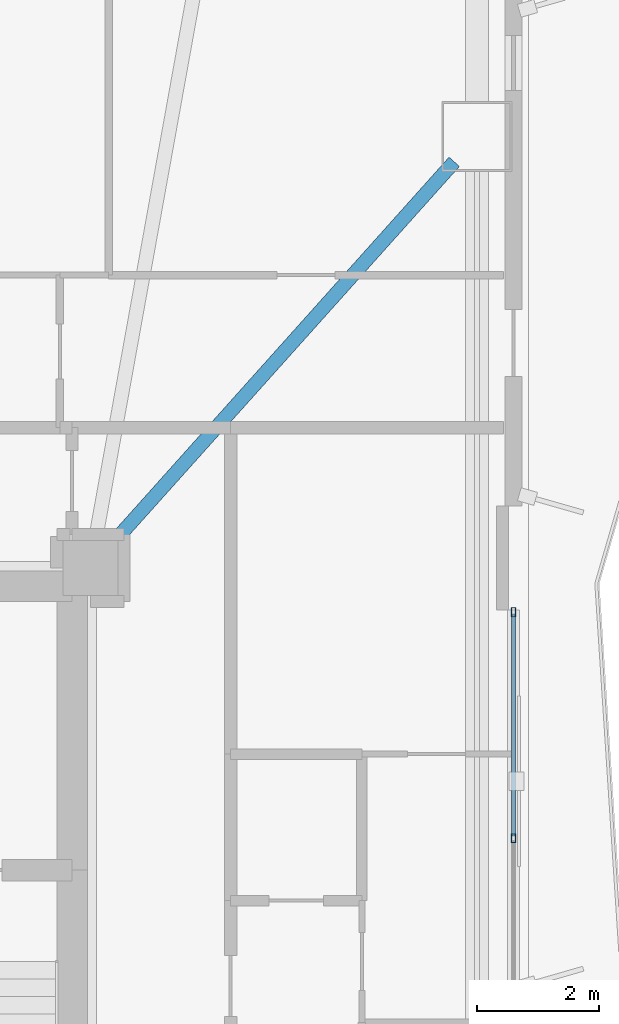
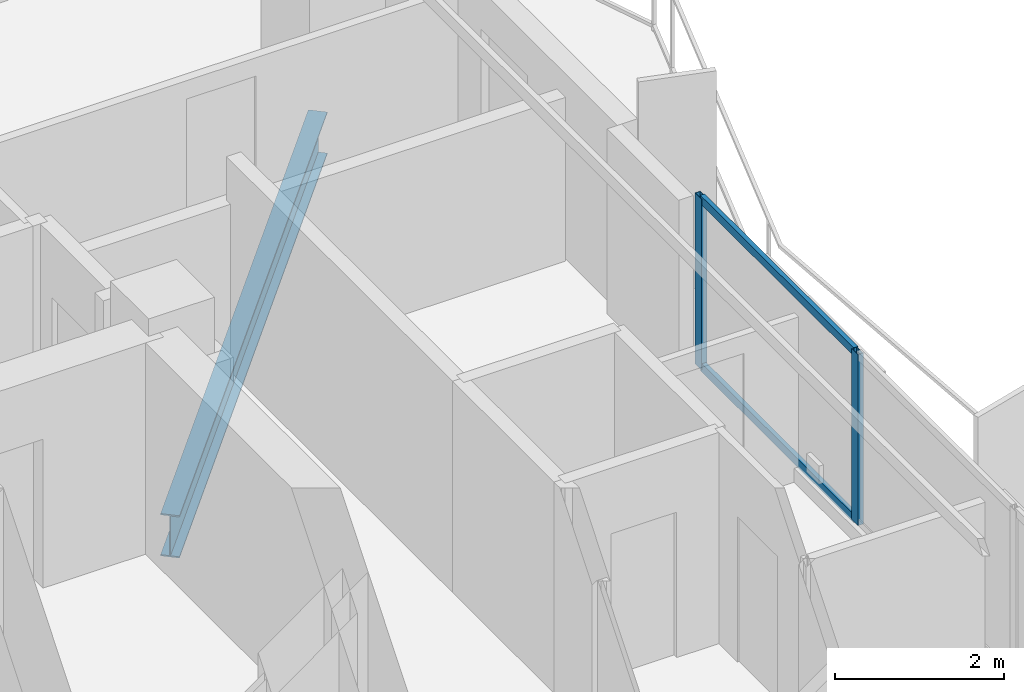
# One storey, part 10 of 22: 4 members, 1 beam, 1 element without a shape of its own.
"""IFC4 building model written with IfcOpenShell, lengths in metres."""

from ifc_helpers import new_model, si_unit, direction, frame, origin, origin_2d, place, context, subcontext, project, spatial, hollow_rectangle, i_section, extrude, material, layer, layer_set, material_profile, profile_set, type_object, element, aggregate, save


model = new_model("IFC4")

# Units and contexts
model_context = context("Model", 3, precision=1e-05, world=origin(), true_north=direction((0.0, 1.0)))
body_context = subcontext(model_context, "Body", "Model", "MODEL_VIEW")
ifc_project = project(units=[si_unit("LENGTHUNIT", "METRE"), si_unit("AREAUNIT", "SQUARE_METRE"), si_unit("VOLUMEUNIT", "CUBIC_METRE"), si_unit("PLANEANGLEUNIT", "RADIAN"), si_unit("MASSUNIT", "GRAM", prefix="KILO")], contexts=[model_context])

# Site, building, storey
site_placement = place(None, origin())
site = spatial("IfcSite", under=ifc_project, at=site_placement, CompositionType="ELEMENT")
building_placement = place(site_placement, origin())
building = spatial("IfcBuilding", under=site, at=building_placement, Name="Mersakhor Tower and Convention Hall", CompositionType="ELEMENT")
storey_placement = place(building_placement, frame((0.0, 0.0, 76.800048828125)))
storey = spatial("IfcBuildingStorey", under=building, at=storey_placement, Name="L20", CompositionType="ELEMENT", Elevation=76.800048828125)

# Beam
ifc_material_1 = material(Name="Steel S355", Category="steel")
ifc_material_profile_1 = material_profile(ifc_material_1, i_section(OverallWidth=0.22900390625, OverallDepth=0.6123046875, WebThickness=0.011962890625, FlangeThickness=0.01953125, at=origin_2d()), Name="UB 610x229x125")
ifc_profile_set_1 = profile_set([ifc_material_profile_1], Name="Steel S355")
beam_type = type_object("IfcBeamType", Name="BM-PR-610", PredefinedType="BEAM", material=ifc_profile_set_1)
beam_placement = place(storey_placement, frame((36.386962890625, 33.370361328125, -0.55615234375), z_axis=(0.66721913788, 0.744861478428, 0.0), x_axis=(-0.744861478428, 0.66721913788, 0.0)))
element("IfcBeam", 1, at=beam_placement, inside=storey, type_object=beam_type, Name="L20 Primary Floor Girder FG-3", PredefinedType="BEAM", context=body_context, shape_type="SweptSolid", body=[
    extrude(i_section(OverallWidth=0.22900390625, OverallDepth=0.6123046875, WebThickness=0.011962890625, FlangeThickness=0.01953125, at=origin_2d()), origin(), (0.0, 0.0, 1.0), 8.5087890625),
])

# Curtain wall, members
ifc_material_2 = material(Name="Dark solar low-E aluminium curtain wall", Category="aluminium")
ifc_layer = layer(ifc_material_2, 0.159912109375)
ifc_layer_set = layer_set([ifc_layer], Name="Dark solar low-E aluminium curtain wall")
curtain_wall_type = type_object("IfcCurtainWallType", Name="CW-SYS-01", PredefinedType="USERDEFINED", material=ifc_layer_set)
curtain_wall_placement = place(storey_placement, origin())
curtain_wall = element("IfcCurtainWall", 2, at=curtain_wall_placement, inside=storey, type_object=curtain_wall_type, Name="L20 Dark-Glass Curtain Wall F2-B2", ObjectType="CURTAIN WALL", PredefinedType="USERDEFINED")
ifc_material_3 = material(Name="Anodised aluminium EN AW-6063 T6", Category="aluminium")
ifc_material_profile_2 = material_profile(ifc_material_3, hollow_rectangle(XDim=0.074951171875, YDim=0.14990234375, WallThickness=0.00634765625, at=origin_2d()), Name="RHS 150x75x6.3")
ifc_profile_set_2 = profile_set([ifc_material_profile_2], Name="Anodised aluminium EN AW-6063 T6")
member_type_1 = type_object("IfcMemberType", Name="CWM-150x75", PredefinedType="MULLION", material=ifc_profile_set_2)
member_1_placement = place(storey_placement, frame((43.03466796875, 32.327392578125, 0.199951171875), z_axis=(0.0, 0.0, 1.0), x_axis=(1.0, 0.0, 0.0)))
member_1 = element("IfcMember", 3, at=member_1_placement, type_object=member_type_1, Name="CW-01 mullion 1", PredefinedType="MULLION", context=body_context, shape_type="SweptSolid", body=[
    extrude(hollow_rectangle(XDim=0.074951171875, YDim=0.14990234375, WallThickness=0.00634765625, at=origin_2d()), origin(), (0.0, 0.0, 1.0), 2.469970703125),
])
member_2_placement = place(storey_placement, frame((43.03466796875, 28.62158203125, 0.199951171875), z_axis=(0.0, 0.0, 1.0), x_axis=(1.0, 0.0, 0.0)))
member_2 = element("IfcMember", 4, at=member_2_placement, type_object=member_type_1, Name="CW-01 mullion 2", PredefinedType="MULLION", context=body_context, shape_type="SweptSolid", body=[
    extrude(hollow_rectangle(XDim=0.074951171875, YDim=0.14990234375, WallThickness=0.00634765625, at=origin_2d()), origin(), (0.0, 0.0, 1.0), 2.469970703125),
])
ifc_material_4 = material(Name="Anodised aluminium EN AW-6063 T6", Category="aluminium")
ifc_material_profile_3 = material_profile(ifc_material_4, hollow_rectangle(XDim=0.06005859375, YDim=0.1201171875, WallThickness=0.0048828125, at=origin_2d()), Name="RHS 120x60x5")
ifc_profile_set_3 = profile_set([ifc_material_profile_3], Name="Anodised aluminium EN AW-6063 T6")
member_type_2 = type_object("IfcMemberType", Name="CWT-120x60", PredefinedType="USERDEFINED", material=ifc_profile_set_3)
member_3_placement = place(storey_placement, frame((43.03466796875, 32.289794921875, 0.22998046875), z_axis=(0.0, -1.0, 0.0), x_axis=(1.0, 0.0, 0.0)))
member_3 = element("IfcMember", 5, at=member_3_placement, type_object=member_type_2, Name="CW-01 transom 1.1", ObjectType="TRANSOM", PredefinedType="USERDEFINED", context=body_context, shape_type="SweptSolid", body=[
    extrude(hollow_rectangle(XDim=0.06005859375, YDim=0.1201171875, WallThickness=0.0048828125, at=origin_2d()), origin(), (0.0, 0.0, 1.0), 3.630615234375),
])
member_4_placement = place(storey_placement, frame((43.03466796875, 32.289794921875, 2.639892578125), z_axis=(0.0, -1.0, 0.0), x_axis=(1.0, 0.0, 0.0)))
member_4 = element("IfcMember", 6, at=member_4_placement, type_object=member_type_2, Name="CW-01 transom 1.2", ObjectType="TRANSOM", PredefinedType="USERDEFINED", context=body_context, shape_type="SweptSolid", body=[
    extrude(hollow_rectangle(XDim=0.06005859375, YDim=0.1201171875, WallThickness=0.0048828125, at=origin_2d()), origin(), (0.0, 0.0, 1.0), 3.630615234375),
])
aggregate(curtain_wall, [member_1, member_2, member_3, member_4])

save(model, "model.ifc")
